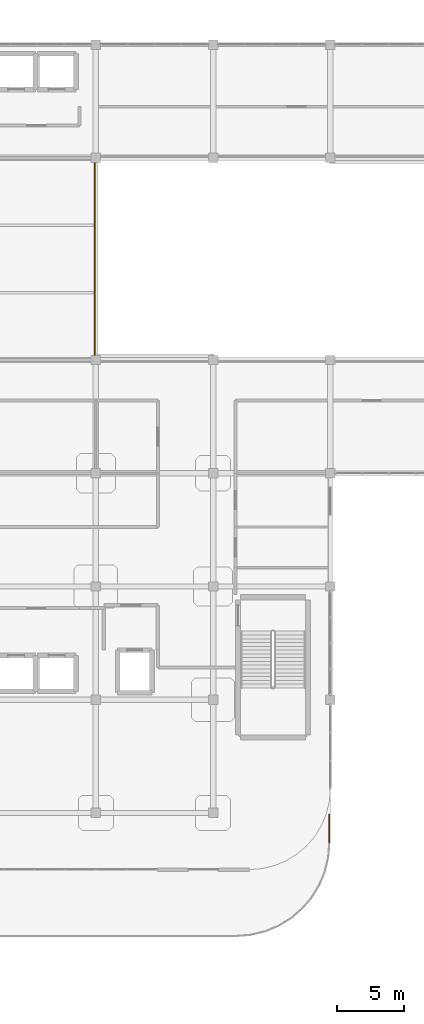
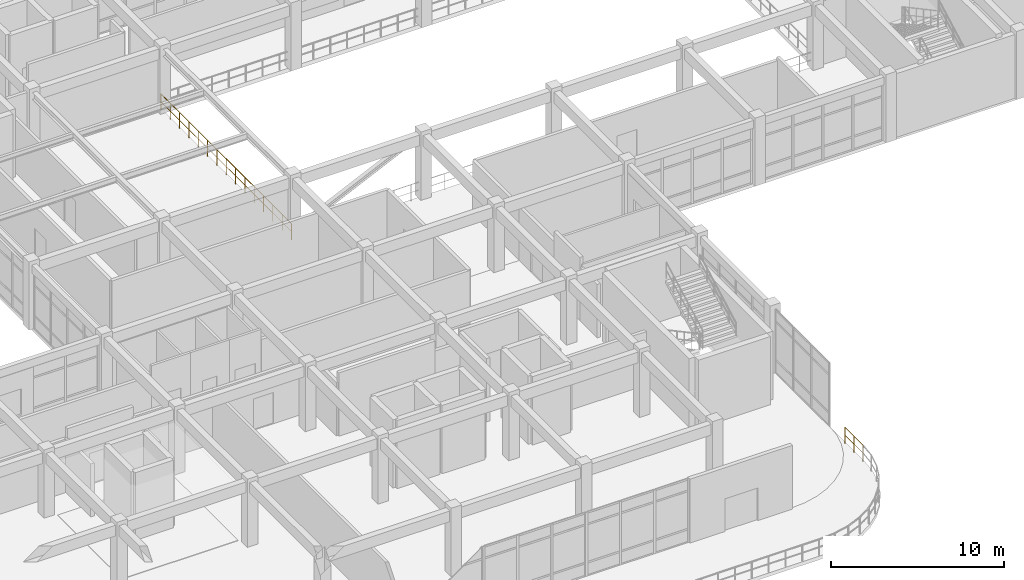
# One storey, part 69 of 76: 2 railings.
"""IFC4 building model written with IfcOpenShell, lengths in metres."""

from ifc_helpers import new_model, si_unit, derived_unit, direction, frame, origin, origin_2d, place, context, subcontext, project, spatial, circle, extrude, material, type_object, element, save


model = new_model("IFC4")

# Units and contexts
model_context = context("Model", 3, precision=1e-05, world=origin(), true_north=direction((0.0, 1.0)))
body_context = subcontext(model_context, "Body", "Model", "MODEL_VIEW")
ifc_project = project(units=[si_unit("LENGTHUNIT", "METRE"), si_unit("AREAUNIT", "SQUARE_METRE"), si_unit("VOLUMEUNIT", "CUBIC_METRE"), si_unit("PLANEANGLEUNIT", "RADIAN"), si_unit("MASSUNIT", "GRAM", prefix="KILO"), derived_unit("THERMALTRANSMITTANCEUNIT", [(si_unit("MASSUNIT", "GRAM", prefix="KILO"), 1), (si_unit("TIMEUNIT", "SECOND"), -3), (si_unit("THERMODYNAMICTEMPERATUREUNIT", "KELVIN"), -1)])], contexts=[model_context])

# Site, building, storey
site_placement = place(None, origin())
site = spatial("IfcSite", under=ifc_project, at=site_placement, CompositionType="ELEMENT")
building_placement = place(site_placement, origin())
building = spatial("IfcBuilding", under=site, at=building_placement, Name="Qinzheling Arcade Emporium", CompositionType="ELEMENT")
storey_placement = place(building_placement, frame((0.0, 0.0, 26.699951171875)))
storey = spatial("IfcBuildingStorey", under=building, at=storey_placement, Name="L06", CompositionType="ELEMENT", Elevation=26.699951171875)

# Railings
ifc_material_1 = material(Name="Architectural bronze rail and laminated safety glass", Category="glass")
railing_type_1 = type_object("IfcRailingType", Name="Curved Terrace Laminated Glass and Bronze Balustrade 1150", PredefinedType="BALUSTRADE", material=ifc_material_1)
railing_1_placement = place(storey_placement, frame((69.52001953125, 16.695068359375, 0.0)))
element("IfcRailing", 1, at=railing_1_placement, inside=storey, type_object=railing_type_1, Name="Terrace Balustrade RLG-TER-L06-015", PredefinedType="BALUSTRADE", context=body_context, shape_type="SweptSolid", body=[
    extrude(circle(Radius=0.02392578125, at=origin_2d()), frame((0.0, 0.0, 1.1259765625), z_axis=(0.0, -1.0, 0.0), x_axis=(1.0, 0.0, 0.0)), (0.0, 0.0, 1.0), 2.092041015625),
    extrude(circle(Radius=0.01611328125, at=origin_2d()), frame((0.0, 0.0, 0.574951171875), z_axis=(0.0, -1.0, 0.0), x_axis=(1.0, 0.0, 0.0)), (0.0, 0.0, 1.0), 2.092041015625),
    extrude(circle(Radius=0.02099609375, at=origin_2d()), origin(), (0.0, 0.0, 1.0), 1.101806640625),
    extrude(circle(Radius=0.02099609375, at=origin_2d()), frame((0.0, -1.0458984375, 0.0)), (0.0, 0.0, 1.0), 1.101806640625),
    extrude(circle(Radius=0.02099609375, at=origin_2d()), frame((0.0, -2.092041015625, 0.0)), (0.0, 0.0, 1.0), 1.101806640625),
])
ifc_material_2 = material(Name="Galvanised powder-coated tubular steel", Category="steel")
railing_type_2 = type_object("IfcRailingType", Name="Painted Steel Stairwell Guard Railing 1150", PredefinedType="GUARDRAIL", material=ifc_material_2)
railing_2_placement = place(storey_placement, frame((52.1201171875, 50.3701171875, 0.0)))
element("IfcRailing", 2, at=railing_2_placement, inside=storey, type_object=railing_type_2, Name="Atrium Void Guard L06 W", PredefinedType="GUARDRAIL", context=body_context, shape_type="SweptSolid", body=[
    extrude(circle(Radius=0.02392578125, at=origin_2d()), frame((0.0, 0.0, 1.1259765625), z_axis=(0.0, 1.0, 0.0), x_axis=(-1.0, 0.0, 0.0)), (0.0, 0.0, 1.0), 15.059814453125),
    extrude(circle(Radius=0.01611328125, at=origin_2d()), frame((0.0, 0.0, 0.574951171875), z_axis=(0.0, 1.0, 0.0), x_axis=(-1.0, 0.0, 0.0)), (0.0, 0.0, 1.0), 15.059814453125),
    extrude(circle(Radius=0.02099609375, at=origin_2d()), origin(), (0.0, 0.0, 1.0), 1.101806640625),
    extrude(circle(Radius=0.02099609375, at=origin_2d()), frame((0.0, 1.07568359375, 0.0)), (0.0, 0.0, 1.0), 1.101806640625),
    extrude(circle(Radius=0.02099609375, at=origin_2d()), frame((0.0, 2.1513671875, 0.0)), (0.0, 0.0, 1.0), 1.101806640625),
    extrude(circle(Radius=0.02099609375, at=origin_2d()), frame((0.0, 3.22705078125, 0.0)), (0.0, 0.0, 1.0), 1.101806640625),
    extrude(circle(Radius=0.02099609375, at=origin_2d()), frame((0.0, 4.302734375, 0.0)), (0.0, 0.0, 1.0), 1.101806640625),
    extrude(circle(Radius=0.02099609375, at=origin_2d()), frame((0.0, 5.37841796875, 0.0)), (0.0, 0.0, 1.0), 1.101806640625),
    extrude(circle(Radius=0.02099609375, at=origin_2d()), frame((0.0, 6.4541015625, 0.0)), (0.0, 0.0, 1.0), 1.101806640625),
    extrude(circle(Radius=0.02099609375, at=origin_2d()), frame((0.0, 7.52978515625, 0.0)), (0.0, 0.0, 1.0), 1.101806640625),
    extrude(circle(Radius=0.02099609375, at=origin_2d()), frame((0.0, 8.605712890625, 0.0)), (0.0, 0.0, 1.0), 1.101806640625),
    extrude(circle(Radius=0.02099609375, at=origin_2d()), frame((0.0, 9.681396484375, 0.0)), (0.0, 0.0, 1.0), 1.101806640625),
    extrude(circle(Radius=0.02099609375, at=origin_2d()), frame((0.0, 10.757080078125, 0.0)), (0.0, 0.0, 1.0), 1.101806640625),
    extrude(circle(Radius=0.02099609375, at=origin_2d()), frame((0.0, 11.832763671875, 0.0)), (0.0, 0.0, 1.0), 1.101806640625),
    extrude(circle(Radius=0.02099609375, at=origin_2d()), frame((0.0, 12.908447265625, 0.0)), (0.0, 0.0, 1.0), 1.101806640625),
    extrude(circle(Radius=0.02099609375, at=origin_2d()), frame((0.0, 13.984130859375, 0.0)), (0.0, 0.0, 1.0), 1.101806640625),
    extrude(circle(Radius=0.02099609375, at=origin_2d()), frame((0.0, 15.059814453125, 0.0)), (0.0, 0.0, 1.0), 1.101806640625),
])

save(model, "model.ifc")
